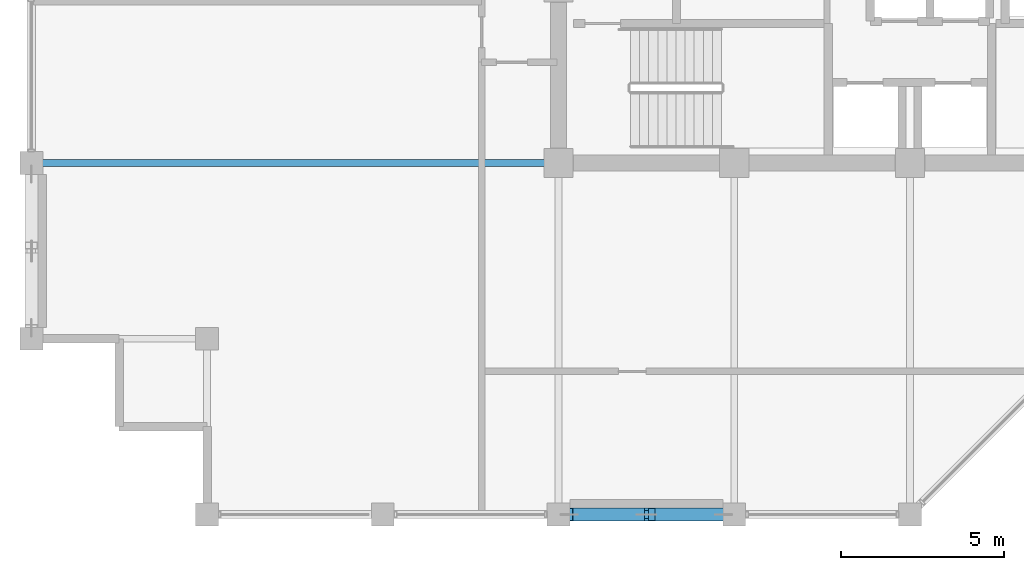
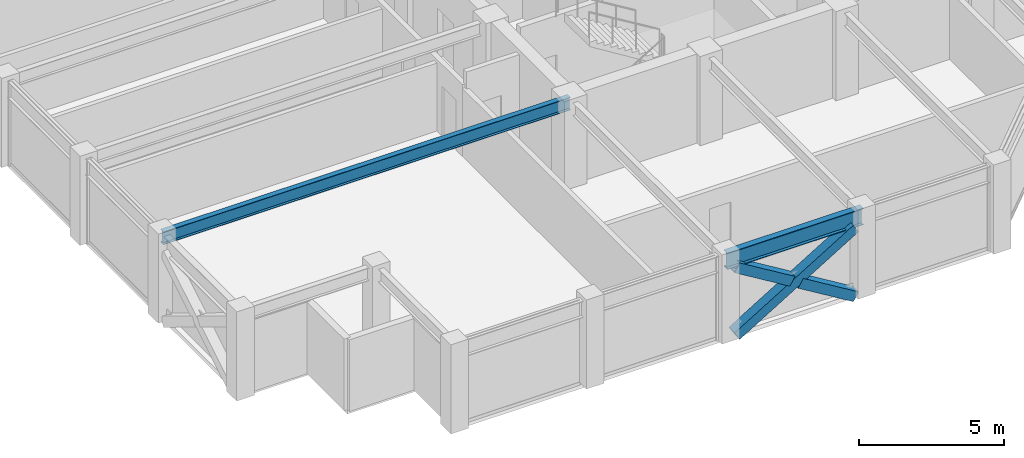
# One storey, part 5 of 30: 3 members, 2 beams.
"""IFC4 building model written with IfcOpenShell, lengths in metres."""

from ifc_helpers import new_model, si_unit, direction, frame, origin, origin_2d, place, context, subcontext, project, spatial, hollow_rectangle, i_section, extrude, material, material_profile, profile_set, type_object, element, save


model = new_model("IFC4")

# Units and contexts
model_context = context("Model", 3, precision=1e-05, world=origin(), true_north=direction((0.0, 1.0)))
body_context = subcontext(model_context, "Body", "Model", "MODEL_VIEW")
ifc_project = project(units=[si_unit("LENGTHUNIT", "METRE"), si_unit("AREAUNIT", "SQUARE_METRE"), si_unit("VOLUMEUNIT", "CUBIC_METRE"), si_unit("PLANEANGLEUNIT", "RADIAN"), si_unit("MASSUNIT", "GRAM", prefix="KILO")], contexts=[model_context])

# Site, building, storey
site_placement = place(None, origin())
site = spatial("IfcSite", under=ifc_project, at=site_placement, CompositionType="ELEMENT")
building_placement = place(site_placement, origin())
building = spatial("IfcBuilding", under=site, at=building_placement, Name="Surkhivell Harbour Commons", CompositionType="ELEMENT")
storey_placement = place(building_placement, frame((0.0, 0.0, 296.25)))
storey = spatial("IfcBuildingStorey", under=building, at=storey_placement, Name="L77", CompositionType="ELEMENT", Elevation=296.25)

# Beams
ifc_material_1 = material(Name="Steel S355", Category="steel")
ifc_material_profile_1 = material_profile(ifc_material_1, i_section(OverallWidth=0.2099609375, OverallDepth=0.537109375, WebThickness=0.0107421875, FlangeThickness=0.017333984375, at=origin_2d()), Name="UB533x210x101")
ifc_profile_set_1 = profile_set([ifc_material_profile_1], Name="Steel S355")
beam_type_1 = type_object("IfcBeamType", Name="BM-GRD-533B", PredefinedType="BEAM", material=ifc_profile_set_1)
beam_1_placement = place(storey_placement, frame((-27.0, -10.800048828125, 3.301513671875), z_axis=(1.0, 0.0, 0.0), x_axis=(0.0, 1.0, 0.0)))
element("IfcBeam", 1, at=beam_1_placement, inside=storey, type_object=beam_type_1, Name="L77 Floor Girder (-27.0,-10.8)", PredefinedType="BEAM", context=body_context, shape_type="SweptSolid", body=[
    extrude(i_section(OverallWidth=0.2099609375, OverallDepth=0.537109375, WebThickness=0.0107421875, FlangeThickness=0.017333984375, at=origin_2d()), origin(), (0.0, 0.0, 1.0), 16.199951171875),
])
ifc_material_profile_2 = material_profile(ifc_material_1, i_section(OverallWidth=0.256103515625, OverallDepth=0.693115234375, WebThickness=0.014404296875, FlangeThickness=0.023681640625, at=origin_2d()), Name="UB686x254x170")
ifc_profile_set_2 = profile_set([ifc_material_profile_2], Name="Steel S355")
beam_type_2 = type_object("IfcBeamType", Name="BM-SPN-686", PredefinedType="SPANDREL", material=ifc_profile_set_2)
beam_2_placement = place(storey_placement, frame((-10.800048828125, -21.60009765625, 3.223388671875), z_axis=(1.0, 0.0, 0.0), x_axis=(0.0, 1.0, 0.0)))
element("IfcBeam", 2, at=beam_2_placement, inside=storey, type_object=beam_type_2, Name="L77 Tube Spandrel (-10.8,-21.6)", PredefinedType="SPANDREL", context=body_context, shape_type="SweptSolid", body=[
    extrude(i_section(OverallWidth=0.256103515625, OverallDepth=0.693115234375, WebThickness=0.014404296875, FlangeThickness=0.023681640625, at=origin_2d()), origin(), (0.0, 0.0, 1.0), 5.400146484375),
])

# Members
ifc_material_2 = material(Name="Steel S460", Category="steel")
ifc_material_profile_3 = material_profile(ifc_material_2, hollow_rectangle(XDim=0.39990234375, YDim=0.39990234375, WallThickness=0.02001953125, at=origin_2d()), Name="SHS400x400x20")
ifc_profile_set_3 = profile_set([ifc_material_profile_3], Name="Steel S460")
member_type = type_object("IfcMemberType", Name="MEM-BRC-SHS400", PredefinedType="BRACE", material=ifc_profile_set_3)
member_1_placement = place(storey_placement, frame((-10.465087890625, -21.60009765625, 0.008056640625), z_axis=(0.854685454322, 0.0, 0.519146197299), x_axis=(0.0, 1.0, 0.0)))
element("IfcMember", 3, at=member_1_placement, inside=storey, type_object=member_type, Name="L77 Perimeter Mega-Brace MB- 07", PredefinedType="BRACE", context=body_context, shape_type="SweptSolid", body=[
    extrude(hollow_rectangle(XDim=0.39990234375, YDim=0.39990234375, WallThickness=0.02001953125, at=origin_2d()), origin(), (0.0, 0.0, 1.0), 5.5341796875),
])
member_2_placement = place(storey_placement, frame((-5.735107421875, -21.60009765625, 0.008056640625), z_axis=(-0.854694361898, 0.0, 0.519131532215), x_axis=(0.0, -1.0, 0.0)))
element("IfcMember", 4, at=member_2_placement, inside=storey, type_object=member_type, Name="L77 Perimeter Mega-Brace MB- 08", PredefinedType="BRACE", context=body_context, shape_type="SweptSolid", body=[
    extrude(hollow_rectangle(XDim=0.39990234375, YDim=0.39990234375, WallThickness=0.02001953125, at=origin_2d()), origin(), (0.0, 0.0, 1.0), 2.57470703125),
])
member_3_placement = place(storey_placement, frame((-8.26416015625, -21.60009765625, 1.544189453125), z_axis=(-0.854677846108, 0.0, 0.519158722716), x_axis=(0.0, -1.0, 0.0)))
element("IfcMember", 5, at=member_3_placement, inside=storey, type_object=member_type, Name="L77 Perimeter Mega-Brace MB- 09", PredefinedType="BRACE", context=body_context, shape_type="SweptSolid", body=[
    extrude(hollow_rectangle(XDim=0.39990234375, YDim=0.39990234375, WallThickness=0.02001953125, at=origin_2d()), origin(), (0.0, 0.0, 1.0), 2.5751953125),
])

save(model, "model.ifc")
